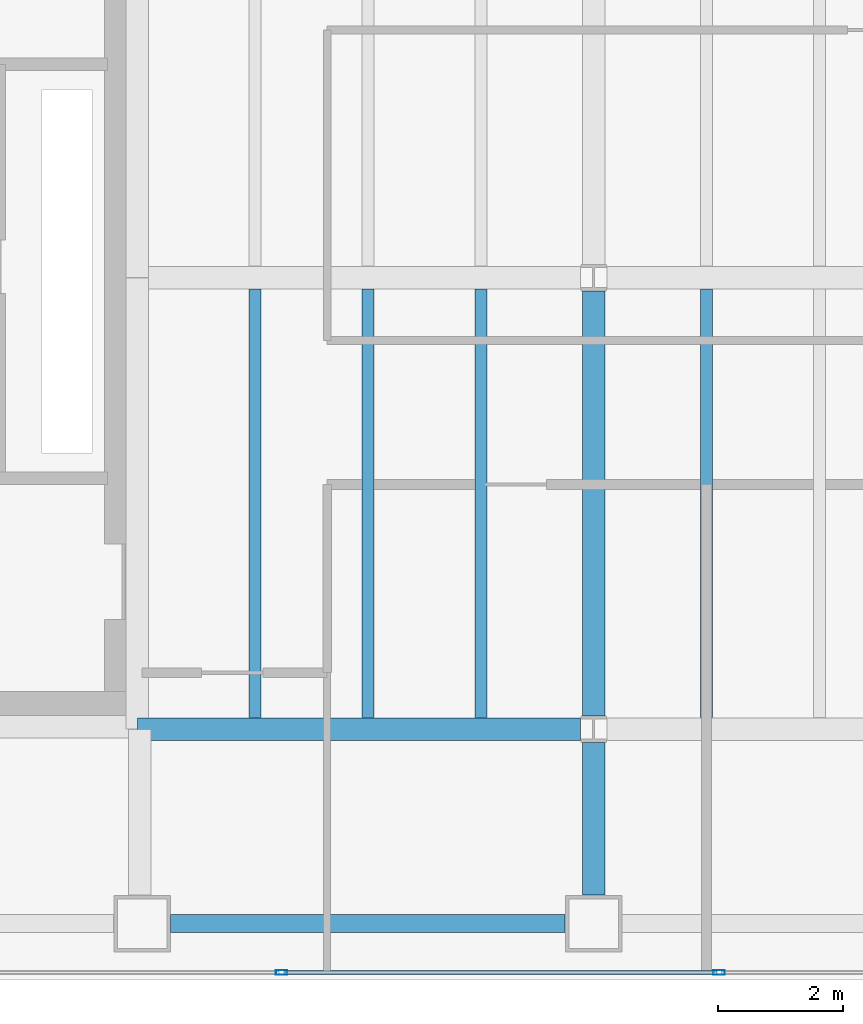
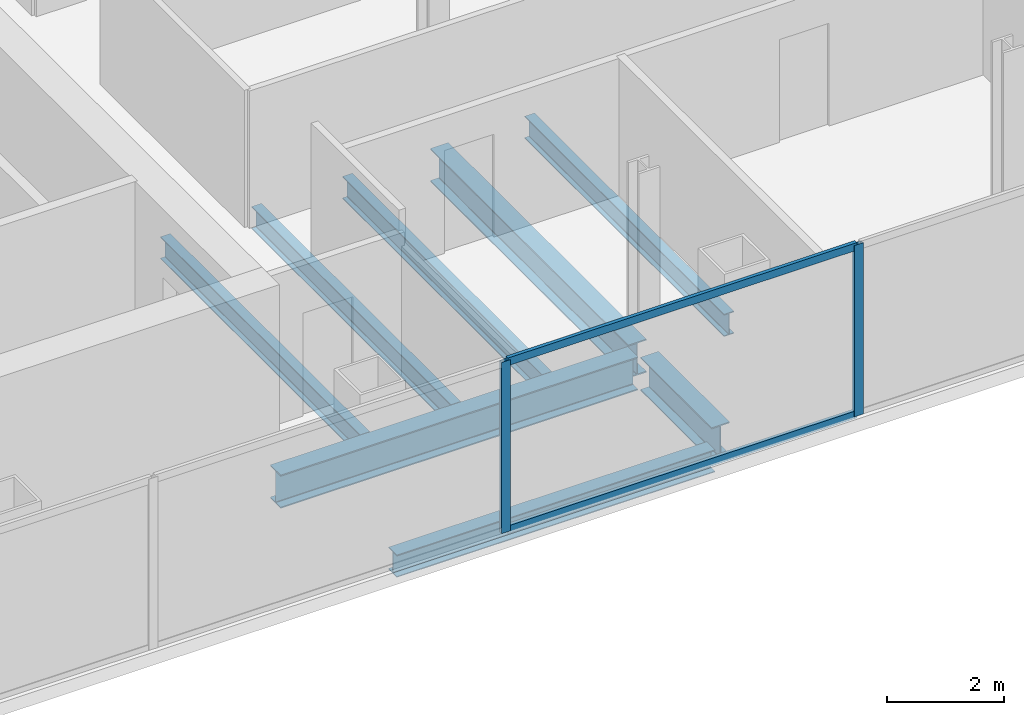
# One storey, part 4 of 23: 8 beams, 4 members, 1 element without a shape of its own.
"""IFC4 building model written with IfcOpenShell, lengths in metres."""

from ifc_helpers import new_model, si_unit, direction, frame, origin, origin_2d, place, context, subcontext, project, spatial, hollow_rectangle, i_section, extrude, material, material_profile, profile_set, type_object, element, aggregate, save


model = new_model("IFC4")

# Units and contexts
model_context = context("Model", 3, precision=1e-05, world=origin(), true_north=direction((0.0, 1.0)))
body_context = subcontext(model_context, "Body", "Model", "MODEL_VIEW")
ifc_project = project(units=[si_unit("LENGTHUNIT", "METRE"), si_unit("AREAUNIT", "SQUARE_METRE"), si_unit("VOLUMEUNIT", "CUBIC_METRE"), si_unit("PLANEANGLEUNIT", "RADIAN"), si_unit("MASSUNIT", "GRAM", prefix="KILO")], contexts=[model_context])

# Site, building, storey
site_placement = place(None, origin())
site = spatial("IfcSite", under=ifc_project, at=site_placement, CompositionType="ELEMENT")
building_placement = place(site_placement, origin())
building = spatial("IfcBuilding", under=site, at=building_placement, Name="Cobrela Telecom Tower", CompositionType="ELEMENT")
storey_placement = place(building_placement, frame((0.0, 0.0, 129.14990234375)))
storey = spatial("IfcBuildingStorey", under=building, at=storey_placement, Name="L32", CompositionType="ELEMENT", Elevation=129.14990234375)

# Beams
ifc_material_1 = material(Name="Steel ASTM A992 Grade 50", Category="steel")
ifc_material_profile_1 = material_profile(ifc_material_1, i_section(OverallWidth=0.35595703125, OverallDepth=0.696044921875, WebThickness=0.015380859375, FlangeThickness=0.024658203125, FilletRadius=0.01806640625, at=origin_2d()), Name="W27X146")
ifc_profile_set_1 = profile_set([ifc_material_profile_1], Name="Steel ASTM A992 Grade 50")
beam_type_1 = type_object("IfcBeamType", Name="BM-GIRD-05", PredefinedType="USERDEFINED", material=ifc_profile_set_1)
beam_1_placement = place(storey_placement, frame((14.324951171875, 7.199951171875, -0.617919921875), z_axis=(1.0, 0.0, 0.0), x_axis=(0.0, 1.0, 0.0)))
element("IfcBeam", 1, at=beam_1_placement, inside=storey, type_object=beam_type_1, Name="L32 Primary Girder X08", ObjectType="GIRDER", PredefinedType="USERDEFINED", context=body_context, shape_type="SweptSolid", body=[
    extrude(i_section(OverallWidth=0.35595703125, OverallDepth=0.696044921875, WebThickness=0.015380859375, FlangeThickness=0.024658203125, FilletRadius=0.01806640625, at=origin_2d()), origin(), (0.0, 0.0, 1.0), 7.0654296875),
])
beam_2_placement = place(storey_placement, frame((21.60009765625, 4.554931640625, -0.617919921875), z_axis=(0.0, 1.0, 0.0), x_axis=(-1.0, 0.0, 0.0)))
element("IfcBeam", 2, at=beam_2_placement, inside=storey, type_object=beam_type_1, Name="L32 Primary Girder Y39", ObjectType="GIRDER", PredefinedType="USERDEFINED", context=body_context, shape_type="SweptSolid", body=[
    extrude(i_section(OverallWidth=0.35595703125, OverallDepth=0.696044921875, WebThickness=0.015380859375, FlangeThickness=0.024658203125, FilletRadius=0.01806640625, at=origin_2d()), origin(), (0.0, 0.0, 1.0), 2.435546875),
])
beam_3_placement = place(storey_placement, frame((21.60009765625, 7.409423828125, -0.617919921875), z_axis=(0.0, 1.0, 0.0), x_axis=(-1.0, 0.0, 0.0)))
element("IfcBeam", 3, at=beam_3_placement, inside=storey, type_object=beam_type_1, Name="L32 Primary Girder Y40", ObjectType="GIRDER", PredefinedType="USERDEFINED", context=body_context, shape_type="SweptSolid", body=[
    extrude(i_section(OverallWidth=0.35595703125, OverallDepth=0.696044921875, WebThickness=0.015380859375, FlangeThickness=0.024658203125, FilletRadius=0.01806640625, at=origin_2d()), origin(), (0.0, 0.0, 1.0), 6.781005859375),
])
ifc_material_profile_2 = material_profile(ifc_material_1, i_section(OverallWidth=0.193115234375, OverallDepth=0.467041015625, WebThickness=0.011474609375, FlangeThickness=0.01904296875, FilletRadius=0.012939453125, at=origin_2d()), Name="W18X65")
ifc_profile_set_2 = profile_set([ifc_material_profile_2], Name="Steel ASTM A992 Grade 50")
beam_type_2 = type_object("IfcBeamType", Name="BM-JOIST-03", PredefinedType="JOIST", material=ifc_profile_set_2)
for number, where, z_axis, x_axis, name in (
    (4, (16.199951171875, 7.383056640625, -0.50341796875), (0.0, 1.0, 0.0), (-1.0, 0.0, 0.0), "L32 Secondary Composite Floor Beam J04"),
    (5, (18.0, 7.383056640625, -0.50341796875), (0.0, 1.0, 0.0), (-1.0, 0.0, 0.0), "L32 Secondary Composite Floor Beam J09"),
    (6, (19.800048828125, 7.383056640625, -0.50341796875), (0.0, 1.0, 0.0), (-1.0, 0.0, 0.0), "L32 Secondary Composite Floor Beam J14"),
    (7, (23.39990234375, 7.383056640625, -0.50341796875), (0.0, 1.0, 0.0), (-1.0, 0.0, 0.0), "L32 Secondary Composite Floor Beam J19"),
):
    element("IfcBeam", number, at=place(storey_placement, frame(where, z_axis=z_axis, x_axis=x_axis)), inside=storey, type_object=beam_type_2, Name=name, PredefinedType="JOIST", context=body_context, shape_type="SweptSolid", body=[
        extrude(i_section(OverallWidth=0.193115234375, OverallDepth=0.467041015625, WebThickness=0.011474609375, FlangeThickness=0.01904296875, FilletRadius=0.012939453125, at=origin_2d()), origin(), (0.0, 0.0, 1.0), 6.833984375),
    ])
ifc_material_profile_3 = material_profile(ifc_material_1, i_section(OverallWidth=0.281982421875, OverallDepth=0.467041015625, WebThickness=0.01220703125, FlangeThickness=0.01953125, FilletRadius=0.012939453125, at=origin_2d()), Name="W18X86")
ifc_profile_set_3 = profile_set([ifc_material_profile_3], Name="Steel ASTM A992 Grade 50")
beam_type_3 = type_object("IfcBeamType", Name="BM-SPAND-04", PredefinedType="SPANDREL", material=ifc_profile_set_3)
beam_4_placement = place(storey_placement, frame((14.85498046875, 4.10009765625, -0.50341796875), z_axis=(1.0, 0.0, 0.0), x_axis=(0.0, 1.0, 0.0)))
element("IfcBeam", 8, at=beam_4_placement, inside=storey, type_object=beam_type_3, Name="L32 Perimeter Spandrel X02", PredefinedType="SPANDREL", context=body_context, shape_type="SweptSolid", body=[
    extrude(i_section(OverallWidth=0.281982421875, OverallDepth=0.467041015625, WebThickness=0.01220703125, FlangeThickness=0.01953125, FilletRadius=0.012939453125, at=origin_2d()), origin(), (0.0, 0.0, 1.0), 6.2900390625),
])

# Curtain wall, members
ifc_material_2 = material(Name="Anodized Bronze Aluminium 6063-T6", Category="aluminium")
curtain_wall_type = type_object("IfcCurtainWallType", Name="CW-SYS-TEL", PredefinedType="USERDEFINED", material=ifc_material_2)
curtain_wall_placement = place(storey_placement, origin())
curtain_wall = element("IfcCurtainWall", 9, at=curtain_wall_placement, inside=storey, type_object=curtain_wall_type, Name="L32 Unitised Bronze Curtain Wall 17", ObjectType="UNITISED CURTAIN WALL", PredefinedType="USERDEFINED")
ifc_material_profile_4 = material_profile(ifc_material_2, hollow_rectangle(XDim=0.074951171875, YDim=0.179931640625, WallThickness=0.00390625, at=origin_2d()), Name="ALU 75x180x4")
ifc_profile_set_4 = profile_set([ifc_material_profile_4], Name="Anodized Bronze Aluminium 6063-T6")
member_type_1 = type_object("IfcMemberType", Name="CW-SYS-TEL-MUL", PredefinedType="MULLION", material=ifc_profile_set_4)
member_1_placement = place(storey_placement, frame((23.60009765625, 3.320068359375, 0.0), z_axis=(0.0, 0.0, 1.0), x_axis=(0.0, -1.0, 0.0)))
member_1 = element("IfcMember", 10, at=member_1_placement, type_object=member_type_1, Name="CW-TEL mullion 4", PredefinedType="MULLION", context=body_context, shape_type="SweptSolid", body=[
    extrude(hollow_rectangle(XDim=0.074951171875, YDim=0.179931640625, WallThickness=0.00390625, at=origin_2d()), origin(), (0.0, 0.0, 1.0), 3.580078125),
])
member_2_placement = place(storey_placement, frame((16.623291015625, 3.320068359375, 0.0), z_axis=(0.0, 0.0, 1.0), x_axis=(0.0, -1.0, 0.0)))
member_2 = element("IfcMember", 11, at=member_2_placement, type_object=member_type_1, Name="CW-TEL mullion 5", PredefinedType="MULLION", context=body_context, shape_type="SweptSolid", body=[
    extrude(hollow_rectangle(XDim=0.074951171875, YDim=0.179931640625, WallThickness=0.00390625, at=origin_2d()), origin(), (0.0, 0.0, 1.0), 3.580078125),
])
ifc_material_profile_5 = material_profile(ifc_material_2, hollow_rectangle(XDim=0.070068359375, YDim=0.159912109375, WallThickness=0.00390625, at=origin_2d()), Name="ALU 70x160x4")
ifc_profile_set_5 = profile_set([ifc_material_profile_5], Name="Anodized Bronze Aluminium 6063-T6")
member_type_2 = type_object("IfcMemberType", Name="CW-SYS-TEL-TRN", PredefinedType="USERDEFINED", material=ifc_profile_set_5)
member_3_placement = place(storey_placement, frame((23.5625, 3.320068359375, 0.03515625), z_axis=(-1.0, 0.0, 0.0), x_axis=(0.0, -1.0, 0.0)))
member_3 = element("IfcMember", 12, at=member_3_placement, type_object=member_type_2, Name="CW-TEL transom 4.1", ObjectType="TRANSOM", PredefinedType="USERDEFINED", context=body_context, shape_type="SweptSolid", body=[
    extrude(hollow_rectangle(XDim=0.070068359375, YDim=0.159912109375, WallThickness=0.00390625, at=origin_2d()), origin(), (0.0, 0.0, 1.0), 6.901611328125),
])
member_4_placement = place(storey_placement, frame((23.5625, 3.320068359375, 3.545166015625), z_axis=(-1.0, 0.0, 0.0), x_axis=(0.0, -1.0, 0.0)))
member_4 = element("IfcMember", 13, at=member_4_placement, type_object=member_type_2, Name="CW-TEL transom 4.2", ObjectType="TRANSOM", PredefinedType="USERDEFINED", context=body_context, shape_type="SweptSolid", body=[
    extrude(hollow_rectangle(XDim=0.070068359375, YDim=0.159912109375, WallThickness=0.00390625, at=origin_2d()), origin(), (0.0, 0.0, 1.0), 6.901611328125),
])
aggregate(curtain_wall, [member_1, member_2, member_3, member_4])

save(model, "model.ifc")
